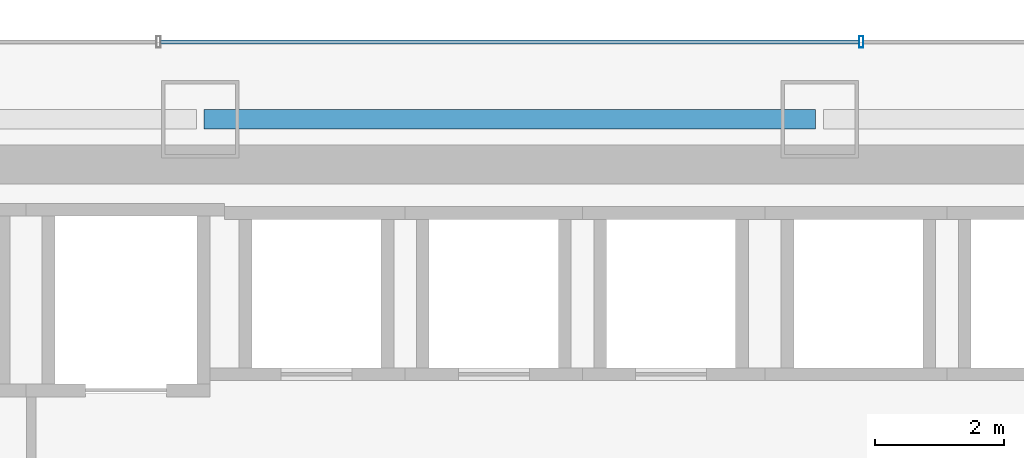
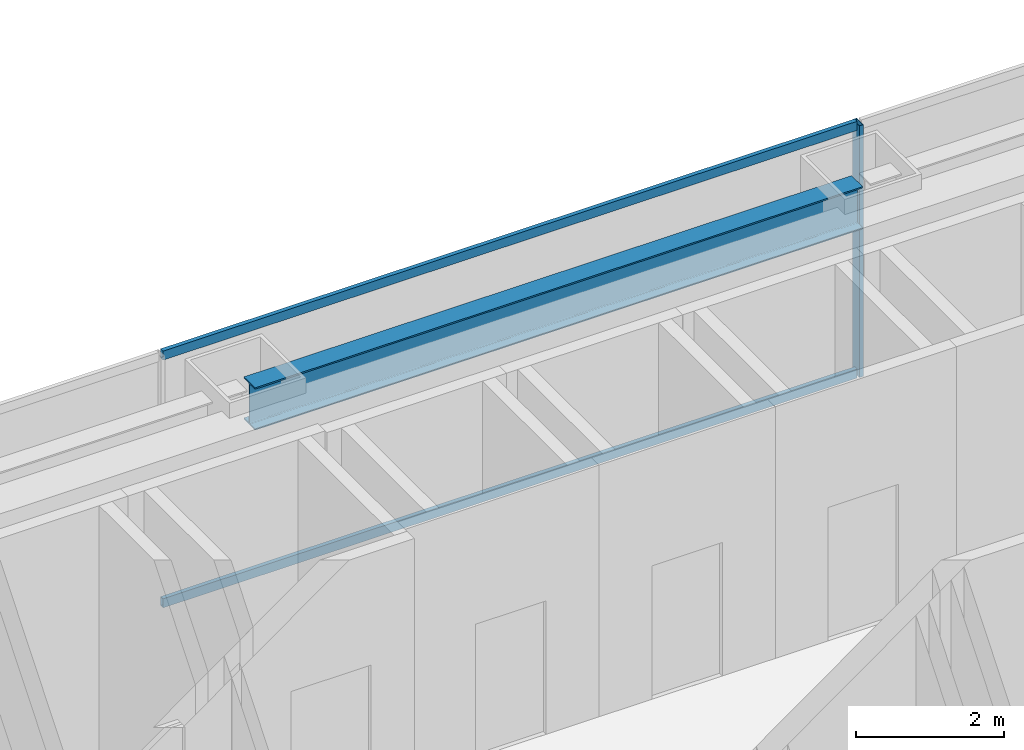
# One storey, part 28 of 47: 3 members, 1 beam, 1 element without a shape of its own.
"""IFC4 building model written with IfcOpenShell, lengths in metres."""

from ifc_helpers import new_model, si_unit, direction, frame, origin, origin_2d, place, context, subcontext, project, spatial, hollow_rectangle, i_section, extrude, material, material_profile, profile_set, type_object, element, aggregate, save


model = new_model("IFC4")

# Units and contexts
model_context = context("Model", 3, precision=1e-05, world=origin(), true_north=direction((0.0, 1.0)))
body_context = subcontext(model_context, "Body", "Model", "MODEL_VIEW")
ifc_project = project(units=[si_unit("LENGTHUNIT", "METRE"), si_unit("AREAUNIT", "SQUARE_METRE"), si_unit("VOLUMEUNIT", "CUBIC_METRE"), si_unit("PLANEANGLEUNIT", "RADIAN"), si_unit("MASSUNIT", "GRAM", prefix="KILO")], contexts=[model_context])

# Site, building, storey
site_placement = place(None, origin())
site = spatial("IfcSite", under=ifc_project, at=site_placement, CompositionType="ELEMENT")
building_placement = place(site_placement, origin())
building = spatial("IfcBuilding", under=site, at=building_placement, Name="Saevonmaru Cultural Tower", CompositionType="ELEMENT")
storey_placement = place(building_placement, frame((0.0, 0.0, 60.39990234375)))
storey = spatial("IfcBuildingStorey", under=building, at=storey_placement, Name="L12", CompositionType="ELEMENT", Elevation=60.39990234375)

# Beam
ifc_material_1 = material(Name="Steel SM355", Category="steel")
ifc_material_profile_1 = material_profile(ifc_material_1, i_section(OverallWidth=0.300048828125, OverallDepth=0.699951171875, WebThickness=0.012939453125, FlangeThickness=0.02392578125, FilletRadius=0.02587890625, at=origin_2d()), Name="H-700x300x13x24")
ifc_profile_set_1 = profile_set([ifc_material_profile_1], Name="Steel SM355")
beam_type = type_object("IfcBeamType", Name="BM-SP-H700", PredefinedType="SPANDREL", material=ifc_profile_set_1)
beam_placement = place(storey_placement, frame((25.260009765625, 54.800048828125, 3.800048828125), z_axis=(1.0, 0.0, 0.0), x_axis=(0.0, 1.0, 0.0)))
element("IfcBeam", 1, at=beam_placement, inside=storey, type_object=beam_type, Name="L12 North Spine Girder 3", PredefinedType="SPANDREL", context=body_context, shape_type="SweptSolid", body=[
    extrude(i_section(OverallWidth=0.300048828125, OverallDepth=0.699951171875, WebThickness=0.012939453125, FlangeThickness=0.02392578125, FilletRadius=0.02587890625, at=origin_2d()), origin(), (0.0, 0.0, 1.0), 9.47998046875),
])

# Curtain wall, members
ifc_material_2 = material(Name="Satin Bronze Anodised Aluminium", Category="aluminium")
curtain_wall_type = type_object("IfcCurtainWallType", Name="CW-TYP-A", PredefinedType="NOTDEFINED", material=ifc_material_2)
curtain_wall_placement = place(storey_placement, origin())
curtain_wall = element("IfcCurtainWall", 2, at=curtain_wall_placement, inside=storey, type_object=curtain_wall_type, Name="L12 North Spine Unitised Curtain Wall E10B", PredefinedType="NOTDEFINED")
ifc_material_profile_2 = material_profile(ifc_material_2, hollow_rectangle(XDim=0.06494140625, YDim=0.179931640625, WallThickness=0.00390625, at=origin_2d()), Name="ALU-MULL-180x65x4")
ifc_profile_set_2 = profile_set([ifc_material_profile_2], Name="Satin Bronze Anodised Aluminium")
member_type_1 = type_object("IfcMemberType", Name="ML-CW-180x65", PredefinedType="MULLION", material=ifc_profile_set_2)
member_1_placement = place(storey_placement, frame((35.44677734375, 56.0, 0.0), z_axis=(0.0, 0.0, 1.0), x_axis=(-1.0, 0.0, 0.0)))
member_1 = element("IfcMember", 3, at=member_1_placement, type_object=member_type_1, Name="CW-TW-L12-E10B mullion 2", PredefinedType="MULLION", context=body_context, shape_type="SweptSolid", body=[
    extrude(hollow_rectangle(XDim=0.06494140625, YDim=0.179931640625, WallThickness=0.00390625, at=origin_2d()), origin(), (0.0, 0.0, 1.0), 4.150146484375),
])
ifc_material_profile_3 = material_profile(ifc_material_2, hollow_rectangle(XDim=0.06494140625, YDim=0.14990234375, WallThickness=0.00390625, at=origin_2d()), Name="ALU-TRAN-150x65x4")
ifc_profile_set_3 = profile_set([ifc_material_profile_3], Name="Satin Bronze Anodised Aluminium")
member_type_2 = type_object("IfcMemberType", Name="TR-CW-150x65", PredefinedType="USERDEFINED", material=ifc_profile_set_3)
member_2_placement = place(storey_placement, frame((35.4140625, 56.0, 0.03271484375), z_axis=(-1.0, 0.0, 0.0), x_axis=(0.0, -1.0, 0.0)))
member_2 = element("IfcMember", 4, at=member_2_placement, type_object=member_type_2, Name="CW-TW-L12-E10B transom 2.1", ObjectType="TRANSOM", PredefinedType="USERDEFINED", context=body_context, shape_type="SweptSolid", body=[
    extrude(hollow_rectangle(XDim=0.06494140625, YDim=0.14990234375, WallThickness=0.00390625, at=origin_2d()), origin(), (0.0, 0.0, 1.0), 10.828125),
])
member_3_placement = place(storey_placement, frame((35.4140625, 56.0, 4.11767578125), z_axis=(-1.0, 0.0, 0.0), x_axis=(0.0, -1.0, 0.0)))
member_3 = element("IfcMember", 5, at=member_3_placement, type_object=member_type_2, Name="CW-TW-L12-E10B transom 2.2", ObjectType="TRANSOM", PredefinedType="USERDEFINED", context=body_context, shape_type="SweptSolid", body=[
    extrude(hollow_rectangle(XDim=0.06494140625, YDim=0.14990234375, WallThickness=0.00390625, at=origin_2d()), origin(), (0.0, 0.0, 1.0), 10.828125),
])
aggregate(curtain_wall, [member_1, member_2, member_3])

save(model, "model.ifc")
